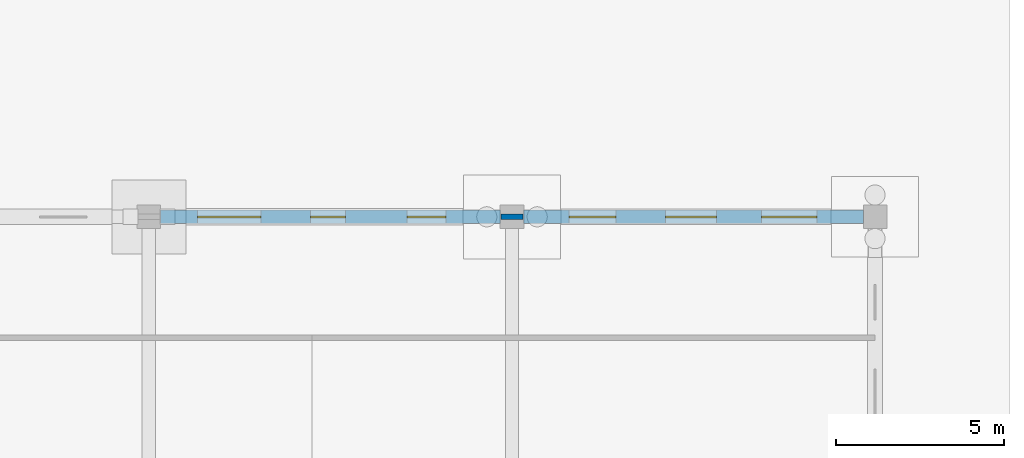
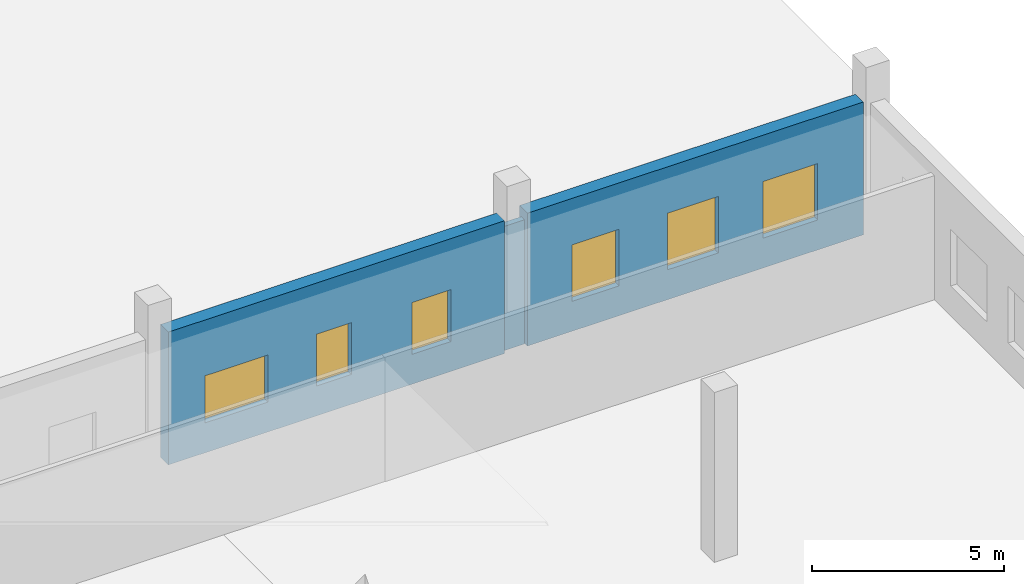
# One storey, part 112 of 138: 6 windows, 3 walls, 6 openings.
"""IFC4 building model written with IfcOpenShell, lengths in metres."""

from ifc_helpers import new_model, si_unit, direction, frame, frame_2d, origin, place, context, subcontext, project, spatial, rectangle, extrude, material, layer, layer_set, type_object, element, fill, save


model = new_model("IFC4")

# Units and contexts
model_context = context("Model", 3, precision=1e-05, world=origin(), true_north=direction((0.0, 1.0)))
body_context = subcontext(model_context, "Body", "Model", "MODEL_VIEW")
ifc_project = project(units=[si_unit("LENGTHUNIT", "METRE"), si_unit("AREAUNIT", "SQUARE_METRE"), si_unit("VOLUMEUNIT", "CUBIC_METRE"), si_unit("PLANEANGLEUNIT", "RADIAN"), si_unit("MASSUNIT", "GRAM", prefix="KILO")], contexts=[model_context])

# Site, building, storey
site_placement = place(None, origin())
site = spatial("IfcSite", under=ifc_project, at=site_placement, CompositionType="ELEMENT")
building_placement = place(site_placement, origin())
building = spatial("IfcBuilding", under=site, at=building_placement, Name="Zwinboog Wholesale Market", CompositionType="ELEMENT")
storey_placement = place(building_placement, origin())
storey = spatial("IfcBuildingStorey", under=building, at=storey_placement, Name="L00", CompositionType="ELEMENT", Elevation=0.0)

# Wall, openings, windows
ifc_material_1 = material(Name="Precast concrete C45/55", Category="concrete")
ifc_layer_1 = layer(ifc_material_1, 0.409912109375)
ifc_layer_set_1 = layer_set([ifc_layer_1], Name="Precast concrete C45/55")
wall_type_1 = type_object("IfcWallType", Name="WT-EW-410", PredefinedType="STANDARD", material=ifc_layer_set_1)
wall_1_placement = place(storey_placement, frame((194.7451171875, 32.39990234375, 0.0), z_axis=(0.0, 0.0, 1.0), x_axis=(1.0, 0.0, 0.0)))
wall_1 = element("IfcWall", 1, at=wall_1_placement, inside=storey, type_object=wall_type_1, Name="EW-03 (WL-EW-L00-076)", PredefinedType="STANDARD", context=body_context, shape_type="SweptSolid", body=[
    extrude(rectangle(XDim=10.10986328125, YDim=0.409912109375, at=frame_2d((5.054931640625, 0.0))), origin(), (0.0, 0.0, 1.0), 4.22509765625),
])
opening_1_placement = place(wall_1_placement, frame((1.10498046875, 0.0, 0.949951171875)))
opening_1 = element("IfcOpeningElement", 2, at=opening_1_placement, cuts=wall_1, Name="Opening WN-40", PredefinedType="OPENING", context=body_context, shape_type="SweptSolid", body=[
    extrude(rectangle(XDim=1.889892578125, YDim=1.5, at=frame_2d((0.94482421875, 0.75))), frame((0.0, 0.21484375, 0.0), z_axis=(0.0, -1.0, 0.0), x_axis=(1.0, 0.0, 0.0)), (0.0, 0.0, 1.0), 0.429931640625),
])
opening_2_placement = place(wall_1_placement, frame((4.455078125, 0.0, 0.949951171875)))
opening_2 = element("IfcOpeningElement", 3, at=opening_2_placement, cuts=wall_1, Name="Opening WN-41", PredefinedType="OPENING", context=body_context, shape_type="SweptSolid", body=[
    extrude(rectangle(XDim=1.050048828125, YDim=1.64990234375, at=frame_2d((0.52490234375, 0.824951171875))), frame((0.0, 0.21484375, 0.0), z_axis=(0.0, -1.0, 0.0), x_axis=(1.0, 0.0, 0.0)), (0.0, 0.0, 1.0), 0.429931640625),
])
opening_3_placement = place(wall_1_placement, frame((7.324951171875, 0.0, 0.949951171875)))
opening_3 = element("IfcOpeningElement", 4, at=opening_3_placement, cuts=wall_1, Name="Opening WN-42", PredefinedType="OPENING", context=body_context, shape_type="SweptSolid", body=[
    extrude(rectangle(XDim=1.169921875, YDim=1.64990234375, at=frame_2d((0.5849609375, 0.824951171875))), frame((0.0, 0.21484375, 0.0), z_axis=(0.0, -1.0, 0.0), x_axis=(1.0, 0.0, 0.0)), (0.0, 0.0, 1.0), 0.429931640625),
])
ifc_material_2 = material(Name="Thermally broken aluminium low-e window", Category="aluminium")
window_type_1 = type_object("IfcWindowType", Name="WNT-40", PartitioningType="SINGLE_PANEL", PredefinedType="WINDOW", material=ifc_material_2)
window_1_placement = place(opening_1_placement, origin())
window_1 = element("IfcWindow", 5, at=window_1_placement, inside=storey, type_object=window_type_1, Name="WN-40 (WIN-L00-0040)", OverallHeight=1.5, OverallWidth=1.889892578125, PartitioningType="SINGLE_PANEL", PredefinedType="WINDOW", context=body_context, shape_type="SweptSolid", body=[
    extrude(rectangle(XDim=1.889892578125, YDim=1.5, at=frame_2d((0.94482421875, 0.75))), frame((0.0, 0.030029296875, 0.0), z_axis=(0.0, -1.0, 0.0), x_axis=(1.0, 0.0, 0.0)), (0.0, 0.0, 1.0), 0.06005859375),
])
fill(opening_1, window_1)
window_type_2 = type_object("IfcWindowType", Name="WNT-41", PartitioningType="SINGLE_PANEL", PredefinedType="WINDOW", material=ifc_material_2)
window_2_placement = place(opening_2_placement, origin())
window_2 = element("IfcWindow", 6, at=window_2_placement, inside=storey, type_object=window_type_2, Name="WN-41 (WIN-L00-0041)", OverallHeight=1.64990234375, OverallWidth=1.050048828125, PartitioningType="SINGLE_PANEL", PredefinedType="WINDOW", context=body_context, shape_type="SweptSolid", body=[
    extrude(rectangle(XDim=1.050048828125, YDim=1.64990234375, at=frame_2d((0.52490234375, 0.824951171875))), frame((0.0, 0.030029296875, 0.0), z_axis=(0.0, -1.0, 0.0), x_axis=(1.0, 0.0, 0.0)), (0.0, 0.0, 1.0), 0.06005859375),
])
fill(opening_2, window_2)
window_type_3 = type_object("IfcWindowType", Name="WNT-42", PartitioningType="SINGLE_PANEL", PredefinedType="WINDOW", material=ifc_material_2)
window_3_placement = place(opening_3_placement, origin())
window_3 = element("IfcWindow", 7, at=window_3_placement, inside=storey, type_object=window_type_3, Name="WN-42 (WIN-L00-0042)", OverallHeight=1.64990234375, OverallWidth=1.169921875, PartitioningType="SINGLE_PANEL", PredefinedType="WINDOW", context=body_context, shape_type="SweptSolid", body=[
    extrude(rectangle(XDim=1.169921875, YDim=1.64990234375, at=frame_2d((0.5849609375, 0.824951171875))), frame((0.0, 0.030029296875, 0.0), z_axis=(0.0, -1.0, 0.0), x_axis=(1.0, 0.0, 0.0)), (0.0, 0.0, 1.0), 0.06005859375),
])
fill(opening_3, window_3)

wall_2_placement = place(storey_placement, frame((205.544921875, 32.39990234375, 0.0), z_axis=(0.0, 0.0, 1.0), x_axis=(1.0, 0.0, 0.0)))
wall_2 = element("IfcWall", 8, at=wall_2_placement, inside=storey, type_object=wall_type_1, Name="EW-03 (WL-EW-L00-082)", PredefinedType="STANDARD", context=body_context, shape_type="SweptSolid", body=[
    extrude(rectangle(XDim=10.110107421875, YDim=0.409912109375, at=frame_2d((5.05517578125, 0.0))), origin(), (0.0, 0.0, 1.0), 4.22509765625),
])
opening_4_placement = place(wall_2_placement, frame((1.344970703125, 0.0, 0.949951171875)))
opening_4 = element("IfcOpeningElement", 9, at=opening_4_placement, cuts=wall_2, Name="Opening WN-52", PredefinedType="OPENING", context=body_context, shape_type="SweptSolid", body=[
    extrude(rectangle(XDim=1.409912109375, YDim=1.800048828125, at=frame_2d((0.705078125, 0.89990234375))), frame((0.0, 0.21484375, 0.0), z_axis=(0.0, -1.0, 0.0), x_axis=(1.0, 0.0, 0.0)), (0.0, 0.0, 1.0), 0.429931640625),
])
opening_5_placement = place(wall_2_placement, frame((4.215087890625, 0.0, 0.949951171875)))
opening_5 = element("IfcOpeningElement", 10, at=opening_5_placement, cuts=wall_2, Name="Opening WN-53", PredefinedType="OPENING", context=body_context, shape_type="SweptSolid", body=[
    extrude(rectangle(XDim=1.530029296875, YDim=1.800048828125, at=frame_2d((0.76513671875, 0.89990234375))), frame((0.0, 0.21484375, 0.0), z_axis=(0.0, -1.0, 0.0), x_axis=(1.0, 0.0, 0.0)), (0.0, 0.0, 1.0), 0.429931640625),
])
opening_6_placement = place(wall_2_placement, frame((7.0849609375, 0.0, 0.949951171875)))
opening_6 = element("IfcOpeningElement", 11, at=opening_6_placement, cuts=wall_2, Name="Opening WN-54", PredefinedType="OPENING", context=body_context, shape_type="SweptSolid", body=[
    extrude(rectangle(XDim=1.64990234375, YDim=1.800048828125, at=frame_2d((0.824951171875, 0.89990234375))), frame((0.0, 0.21484375, 0.0), z_axis=(0.0, -1.0, 0.0), x_axis=(1.0, 0.0, 0.0)), (0.0, 0.0, 1.0), 0.429931640625),
])
window_type_4 = type_object("IfcWindowType", Name="WNT-52", PartitioningType="SINGLE_PANEL", PredefinedType="WINDOW", material=ifc_material_2)
window_4_placement = place(opening_4_placement, origin())
window_4 = element("IfcWindow", 12, at=window_4_placement, inside=storey, type_object=window_type_4, Name="WN-52 (WIN-L00-0052)", OverallHeight=1.800048828125, OverallWidth=1.409912109375, PartitioningType="SINGLE_PANEL", PredefinedType="WINDOW", context=body_context, shape_type="SweptSolid", body=[
    extrude(rectangle(XDim=1.409912109375, YDim=1.800048828125, at=frame_2d((0.705078125, 0.89990234375))), frame((0.0, 0.030029296875, 0.0), z_axis=(0.0, -1.0, 0.0), x_axis=(1.0, 0.0, 0.0)), (0.0, 0.0, 1.0), 0.06005859375),
])
fill(opening_4, window_4)
window_type_5 = type_object("IfcWindowType", Name="WNT-53", PartitioningType="SINGLE_PANEL", PredefinedType="WINDOW", material=ifc_material_2)
window_5_placement = place(opening_5_placement, origin())
window_5 = element("IfcWindow", 13, at=window_5_placement, inside=storey, type_object=window_type_5, Name="WN-53 (WIN-L00-0053)", OverallHeight=1.800048828125, OverallWidth=1.530029296875, PartitioningType="SINGLE_PANEL", PredefinedType="WINDOW", context=body_context, shape_type="SweptSolid", body=[
    extrude(rectangle(XDim=1.530029296875, YDim=1.800048828125, at=frame_2d((0.76513671875, 0.89990234375))), frame((0.0, 0.030029296875, 0.0), z_axis=(0.0, -1.0, 0.0), x_axis=(1.0, 0.0, 0.0)), (0.0, 0.0, 1.0), 0.06005859375),
])
fill(opening_5, window_5)
window_type_6 = type_object("IfcWindowType", Name="WNT-54", PartitioningType="SINGLE_PANEL", PredefinedType="WINDOW", material=ifc_material_2)
window_6_placement = place(opening_6_placement, origin())
window_6 = element("IfcWindow", 14, at=window_6_placement, inside=storey, type_object=window_type_6, Name="WN-54 (WIN-L00-0054)", OverallHeight=1.800048828125, OverallWidth=1.64990234375, PartitioningType="SINGLE_PANEL", PredefinedType="WINDOW", context=body_context, shape_type="SweptSolid", body=[
    extrude(rectangle(XDim=1.64990234375, YDim=1.800048828125, at=frame_2d((0.824951171875, 0.89990234375))), frame((0.0, 0.030029296875, 0.0), z_axis=(0.0, -1.0, 0.0), x_axis=(1.0, 0.0, 0.0)), (0.0, 0.0, 1.0), 0.06005859375),
])
fill(opening_6, window_6)

# Wall
ifc_material_3 = material(Name="Laboratory acoustic partition")
ifc_layer_2 = layer(ifc_material_3, 0.16796875)
ifc_layer_set_2 = layer_set([ifc_layer_2], Name="Laboratory acoustic partition")
wall_type_2 = type_object("IfcWallType", Name="WT-PT-168", PredefinedType="PARTITIONING", material=ifc_layer_set_2)
wall_3_placement = place(storey_placement, frame((204.875, 32.39990234375, 0.0), z_axis=(0.0, 0.0, 1.0), x_axis=(1.0, 0.0, 0.0)))
element("IfcWall", 15, at=wall_3_placement, inside=storey, type_object=wall_type_2, Name="PW-05 (WL-IN-L00-0106)", PredefinedType="PARTITIONING", context=body_context, shape_type="SweptSolid", body=[
    extrude(rectangle(XDim=0.64990234375, YDim=0.16796875, at=frame_2d((0.324951171875, 0.0))), origin(), (0.0, 0.0, 1.0), 3.949951171875),
])

save(model, "model.ifc")
